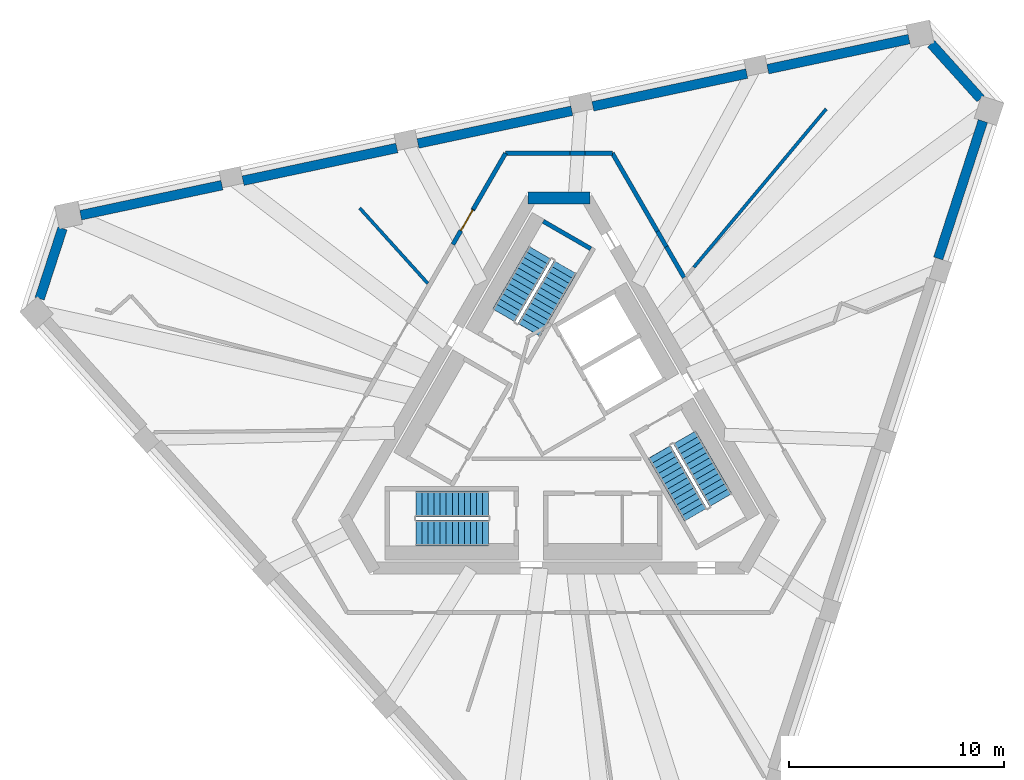
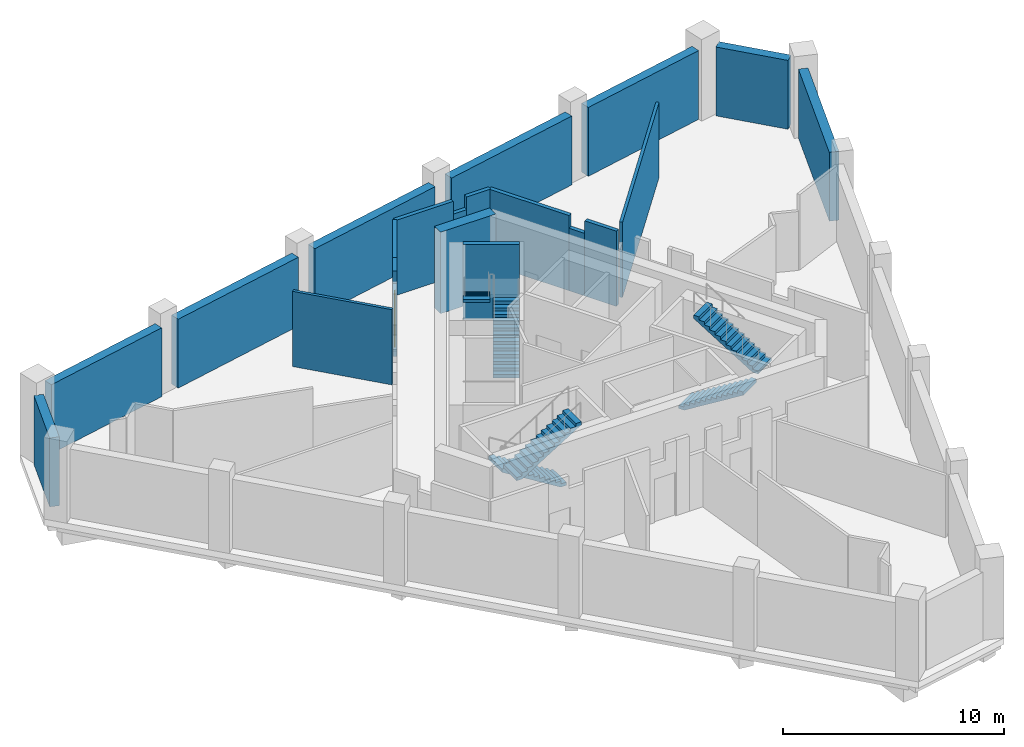
# One storey, part 4 of 5: 20 walls, 6 stair flights, 1 door, 1 opening, 3 elements without a shape of their own.
"""IFC4 building model written with IfcOpenShell, lengths in metres."""

from ifc_helpers import new_model, si_unit, direction, frame, frame_2d, origin, place, context, subcontext, project, spatial, polyline, rectangle, outline, extrude, material, layer, layer_set, type_object, element, fill, aggregate, save


model = new_model("IFC4")

# Units and contexts
model_context = context("Model", 3, precision=1e-05, world=origin(), true_north=direction((0.0, 1.0)))
body_context = subcontext(model_context, "Body", "Model", "MODEL_VIEW")
ifc_project = project(units=[si_unit("LENGTHUNIT", "METRE"), si_unit("AREAUNIT", "SQUARE_METRE"), si_unit("VOLUMEUNIT", "CUBIC_METRE"), si_unit("PLANEANGLEUNIT", "RADIAN"), si_unit("MASSUNIT", "GRAM", prefix="KILO")], contexts=[model_context])

# Site, building, storey
site_placement = place(None, origin())
site = spatial("IfcSite", under=ifc_project, at=site_placement, CompositionType="ELEMENT")
building_placement = place(site_placement, origin())
building = spatial("IfcBuilding", under=site, at=building_placement, Name="Tramontana Tower", CompositionType="ELEMENT")
storey_placement = place(building_placement, frame((0.0, 0.0, 365.89990234375)))
storey = spatial("IfcBuildingStorey", under=building, at=storey_placement, Name="L84", CompositionType="ELEMENT", Elevation=365.89990234375)

# Wall
ifc_material_1 = material(Name="Concrete 70 MPa", Category="concrete")
ifc_layer_1 = layer(ifc_material_1, 0.550048828125)
ifc_layer_set_1 = layer_set([ifc_layer_1], Name="Core wall 550 70 MPa")
wall_type_1 = type_object("IfcWallType", Name="Core wall 550 70 MPa", PredefinedType="SHEAR", material=ifc_layer_set_1)
wall_1_placement = place(storey_placement, frame((1.443359375, 10.72509765625, 0.0), z_axis=(0.0, 0.0, 1.0), x_axis=(-1.0, 0.0, 0.0)))
element("IfcWall", 1, at=wall_1_placement, inside=storey, type_object=wall_type_1, Name="Core wall C0 L84", PredefinedType="SHEAR", context=body_context, shape_type="SweptSolid", body=[
    extrude(rectangle(XDim=2.88671875, YDim=0.550048828125, at=frame_2d((1.443359375, 0.0))), origin(), (0.0, 0.0, 1.0), 4.5),
])

# Wall, opening, door
ifc_material_2 = material(Name="Blockwork", Category="masonry")
ifc_layer_2 = layer(ifc_material_2, 0.199951171875)
ifc_layer_set_2 = layer_set([ifc_layer_2], Name="ENTRY WALL 200")
wall_type_2 = type_object("IfcWallType", Name="ENTRY WALL 200", PredefinedType="SOLIDWALL", material=ifc_layer_set_2)
wall_2_placement = place(storey_placement, frame((-3.985595703125, 10.196533203125, 0.0), z_axis=(0.0, 0.0, 1.0), x_axis=(-0.500051133576, -0.865995879788, 0.0)))
wall_2 = element("IfcWall", 2, at=wall_2_placement, inside=storey, type_object=wall_type_2, Name="Wall ew3-9", PredefinedType="SOLIDWALL", context=body_context, shape_type="SweptSolid", body=[
    extrude(outline(polyline([(0.0, 0.0), (1.885986328125, 0.0), (1.885986328125, 3.4501953125), (1.0595703125, 3.4501953125), (1.0595703125, 4.150146484375), (0.0, 4.150146484375), (0.0, 0.0)])), frame((0.0, 0.10009765625, 0.0), z_axis=(0.0, -1.0, 0.0), x_axis=(1.0, 0.0, 0.0)), (0.0, 0.0, 1.0), 0.199951171875),
])
opening_placement = place(wall_2_placement, frame((0.050048828125, 0.0, 0.0)))
opening = element("IfcOpeningElement", 3, at=opening_placement, cuts=wall_2, Name="Opening L84-02", PredefinedType="OPENING", context=body_context, shape_type="SweptSolid", body=[
    extrude(rectangle(XDim=1.10009765625, YDim=2.39990234375, at=frame_2d((0.550048828125, 1.199951171875))), frame((0.0, 0.10986328125, 0.0), z_axis=(0.0, -1.0, 0.0), x_axis=(1.0, 0.0, 0.0)), (0.0, 0.0, 1.0), 0.219970703125),
])
ifc_material_3 = material(Name="Painted timber", Category="wood")
door_type = type_object("IfcDoorType", Name="DOOR ENTRY 1100", OperationType="SINGLE_SWING_LEFT", PredefinedType="DOOR", material=ifc_material_3)
door_placement = place(opening_placement, origin())
door = element("IfcDoor", 4, at=door_placement, inside=storey, type_object=door_type, Name="Door L84-02", OperationType="SINGLE_SWING_RIGHT", OverallHeight=2.39990234375, OverallWidth=1.10009765625, PredefinedType="DOOR", context=body_context, shape_type="SweptSolid", body=[
    extrude(rectangle(XDim=1.10009765625, YDim=2.39990234375, at=frame_2d((0.550048828125, 1.199951171875))), frame((0.0, 0.02490234375, 0.0), z_axis=(0.0, -1.0, 0.0), x_axis=(1.0, 0.0, 0.0)), (0.0, 0.0, 1.0), 0.050048828125),
])
fill(opening, door)

# Walls
wall_3_placement = place(storey_placement, frame((-3.985595703125, 10.196533203125, 0.0), z_axis=(0.0, 0.0, 1.0), x_axis=(0.49994741746, 0.8660557602, 0.0)))
element("IfcWall", 5, at=wall_3_placement, inside=storey, type_object=wall_type_2, Name="Wall ew3-10", PredefinedType="SOLIDWALL", context=body_context, shape_type="SweptSolid", body=[
    extrude(rectangle(XDim=3.006103515625, YDim=0.199951171875, at=frame_2d((1.5029296875, 0.0))), origin(), (0.0, 0.0, 1.0), 4.150146484375),
])
wall_4_placement = place(storey_placement, frame((-2.482666015625, 12.800048828125, 0.0), z_axis=(0.0, 0.0, 1.0), x_axis=(1.0, 0.0, 0.0)))
element("IfcWall", 6, at=wall_4_placement, inside=storey, type_object=wall_type_2, Name="Wall ew4-0", PredefinedType="SOLIDWALL", context=body_context, shape_type="SweptSolid", body=[
    extrude(rectangle(XDim=3.0029296875, YDim=0.199951171875, at=frame_2d((1.50146484375, 0.0))), origin(), (0.0, 0.0, 1.0), 4.150146484375),
])
wall_5_placement = place(storey_placement, frame((0.520263671875, 12.800048828125, 0.0), z_axis=(0.0, 0.0, 1.0), x_axis=(1.0, 0.0, 0.0)))
element("IfcWall", 7, at=wall_5_placement, inside=storey, type_object=wall_type_2, Name="Wall ew4-1", PredefinedType="SOLIDWALL", context=body_context, shape_type="SweptSolid", body=[
    extrude(rectangle(XDim=0.701416015625, YDim=0.199951171875, at=frame_2d((0.3505859375, 0.0))), origin(), (0.0, 0.0, 1.0), 3.4501953125),
])
wall_6_placement = place(storey_placement, frame((1.2216796875, 12.800048828125, 0.0), z_axis=(0.0, 0.0, 1.0), x_axis=(1.0, 0.0, 0.0)))
element("IfcWall", 8, at=wall_6_placement, inside=storey, type_object=wall_type_2, Name="Wall ew4-2", PredefinedType="SOLIDWALL", context=body_context, shape_type="SweptSolid", body=[
    extrude(rectangle(XDim=1.260986328125, YDim=0.199951171875, at=frame_2d((0.63037109375, 0.0))), origin(), (0.0, 0.0, 1.0), 4.150146484375),
])
wall_7_placement = place(storey_placement, frame((2.482666015625, 12.800048828125, 0.0), z_axis=(0.0, 0.0, 1.0), x_axis=(0.499982771656, -0.866035350345, 0.0)))
element("IfcWall", 9, at=wall_7_placement, inside=storey, type_object=wall_type_2, Name="Wall ew5-0", PredefinedType="SOLIDWALL", context=body_context, shape_type="SweptSolid", body=[
    extrude(rectangle(XDim=4.194580078125, YDim=0.199951171875, at=frame_2d((2.09716796875, 0.0))), origin(), (0.0, 0.0, 1.0), 4.150146484375),
])
wall_8_placement = place(storey_placement, frame((4.579833984375, 9.16748046875, 0.0), z_axis=(0.0, 0.0, 1.0), x_axis=(0.499945576647, -0.866056822842, 0.0)))
element("IfcWall", 10, at=wall_8_placement, inside=storey, type_object=wall_type_2, Name="Wall ew5-1", PredefinedType="SOLIDWALL", context=body_context, shape_type="SweptSolid", body=[
    extrude(rectangle(XDim=0.82080078125, YDim=0.199951171875, at=frame_2d((0.410400390625, 0.0))), origin(), (0.0, 0.0, 1.0), 3.4501953125),
])
wall_9_placement = place(storey_placement, frame((4.990234375, 8.45654296875, 0.0), z_axis=(0.0, 0.0, 1.0), x_axis=(0.500024536802, -0.866011236992, 0.0)))
element("IfcWall", 11, at=wall_9_placement, inside=storey, type_object=wall_type_2, Name="Wall ew5-2", PredefinedType="SOLIDWALL", context=body_context, shape_type="SweptSolid", body=[
    extrude(rectangle(XDim=1.65576171875, YDim=0.199951171875, at=frame_2d((0.827880859375, 0.0))), origin(), (0.0, 0.0, 1.0), 4.150146484375),
])
ifc_material_4 = material(Name="Precast concrete 60 MPa", Category="concrete")
ifc_layer_3 = layer(ifc_material_4, 0.449951171875)
ifc_layer_set_3 = layer_set([ifc_layer_3], Name="Precast concrete 60 MPa, 450 mm")
wall_type_3 = type_object("IfcWallType", Name="EW1 Stone-faced precast wall 450", PredefinedType="SOLIDWALL", material=ifc_layer_set_3)
wall_10_placement = place(storey_placement, frame((-23.0791015625, 9.304931640625, 0.0), z_axis=(0.0, 0.0, 1.0), x_axis=(-0.309076430482, -0.95103720228, 0.0)))
element("IfcWall", 12, at=wall_10_placement, inside=storey, type_object=wall_type_3, Name="Stone band wall L84 face 0k 1", PredefinedType="SOLIDWALL", context=body_context, shape_type="SweptSolid", body=[
    extrude(rectangle(XDim=3.435302734375, YDim=0.449951171875, at=frame_2d((1.7177734375, 0.0))), origin(), (0.0, 0.0, 1.0), 3.800048828125),
])
wall_11_placement = place(storey_placement, frame((17.632080078125, 7.9091796875, 0.0), z_axis=(0.0, 0.0, 1.0), x_axis=(0.309018647645, 0.951055979114, 0.0)))
element("IfcWall", 13, at=wall_11_placement, inside=storey, type_object=wall_type_3, Name="Stone band wall L84 face 1s 5", PredefinedType="SOLIDWALL", context=body_context, shape_type="SweptSolid", body=[
    extrude(rectangle(XDim=6.7138671875, YDim=0.449951171875, at=frame_2d((3.35693359375, 0.0))), origin(), (0.0, 0.0, 1.0), 3.800048828125),
])
wall_12_placement = place(storey_placement, frame((19.597900390625, 15.334716796875, 0.0), z_axis=(0.0, 0.0, 1.0), x_axis=(-0.669109997009, 0.743163381702, 0.0)))
element("IfcWall", 14, at=wall_12_placement, inside=storey, type_object=wall_type_3, Name="Stone band wall L84 face 2k 1", PredefinedType="SOLIDWALL", context=body_context, shape_type="SweptSolid", body=[
    extrude(rectangle(XDim=3.435302734375, YDim=0.449951171875, at=frame_2d((1.7177734375, 0.0))), origin(), (0.0, 0.0, 1.0), 3.800048828125),
])
wall_13_placement = place(storey_placement, frame((-15.665771484375, 11.315185546875, 0.0), z_axis=(0.0, 0.0, 1.0), x_axis=(-0.978144338977, -0.207927035587, 0.0)))
element("IfcWall", 15, at=wall_13_placement, inside=storey, type_object=wall_type_3, Name="Stone band wall L84 face 2s 1", PredefinedType="SOLIDWALL", context=body_context, shape_type="SweptSolid", body=[
    extrude(rectangle(XDim=6.7138671875, YDim=0.449951171875, at=frame_2d((3.35693359375, 0.0))), origin(), (0.0, 0.0, 1.0), 3.800048828125),
])
for number, where, z_axis, x_axis, name in (
    (16, (-7.533447265625, 13.043701171875, 0.0), (0.0, 0.0, 1.0), (-0.978151299843, -0.207894287118, 0.0), "Stone band wall L84 face 2s 2"),
    (17, (0.5986328125, 14.772216796875, 0.0), (0.0, 0.0, 1.0), (-0.978151299843, -0.207894287118, 0.0), "Stone band wall L84 face 2s 3"),
    (18, (8.73095703125, 16.500732421875, 0.0), (0.0, 0.0, 1.0), (-0.978151299843, -0.207894287118, 0.0), "Stone band wall L84 face 2s 4"),
):
    element("IfcWall", number, at=place(storey_placement, frame(where, z_axis=z_axis, x_axis=x_axis)), inside=storey, type_object=wall_type_3, Name=name, PredefinedType="SOLIDWALL", context=body_context, shape_type="SweptSolid", body=[
        extrude(rectangle(XDim=7.31396484375, YDim=0.449951171875, at=frame_2d((3.656982421875, 0.0))), origin(), (0.0, 0.0, 1.0), 3.800048828125),
    ])
wall_14_placement = place(storey_placement, frame((16.276123046875, 18.104736328125, 0.0), z_axis=(0.0, 0.0, 1.0), x_axis=(-0.978144338977, -0.207927035587, 0.0)))
element("IfcWall", 19, at=wall_14_placement, inside=storey, type_object=wall_type_3, Name="Stone band wall L84 face 2s 5", PredefinedType="SOLIDWALL", context=body_context, shape_type="SweptSolid", body=[
    extrude(rectangle(XDim=6.7138671875, YDim=0.449951171875, at=frame_2d((3.35693359375, 0.0))), origin(), (0.0, 0.0, 1.0), 3.800048828125),
])
ifc_material_5 = material(Name="Gypsum board partition")
ifc_layer_4 = layer(ifc_material_5, 0.14990234375)
ifc_layer_set_4 = layer_set([ifc_layer_4], Name="PARTITION 150")
wall_type_4 = type_object("IfcWallType", Name="PARTITION 150", PredefinedType="PARTITIONING", material=ifc_layer_set_4)
wall_15_placement = place(storey_placement, frame((-6.094482421875, 6.744140625, 0.0), z_axis=(0.0, 0.0, 1.0), x_axis=(-0.670485503808, 0.741922630187, 0.0)))
element("IfcWall", 20, at=wall_15_placement, inside=storey, type_object=wall_type_4, Name="Wall fw-pw06", PredefinedType="PARTITIONING", context=body_context, shape_type="SweptSolid", body=[
    extrude(rectangle(XDim=4.72314453125, YDim=0.14990234375, at=frame_2d((2.361572265625, 0.0))), origin(), (0.0, 0.0, 1.0), 4.150146484375),
])
wall_16_placement = place(storey_placement, frame((6.27001953125, 7.498046875, 0.0), z_axis=(0.0, 0.0, 1.0), x_axis=(0.641480057803, 0.76713971051, 0.0)))
element("IfcWall", 21, at=wall_16_placement, inside=storey, type_object=wall_type_4, Name="Wall fw-pw13-1", PredefinedType="PARTITIONING", context=body_context, shape_type="SweptSolid", body=[
    extrude(rectangle(XDim=9.593994140625, YDim=0.14990234375, at=frame_2d((4.796875, 0.0))), origin(), (0.0, 0.0, 1.0), 4.150146484375),
])
ifc_material_6 = material(Name="Concrete 70 MPa", Category="concrete")
ifc_layer_5 = layer(ifc_material_6, 0.199951171875)
ifc_layer_set_5 = layer_set([ifc_layer_5], Name="Concrete 70 MPa, 200 mm")
wall_type_5 = type_object("IfcWallType", Name="RC STAIR AND SHAFT WALL 200", PredefinedType="SOLIDWALL", material=ifc_layer_set_5)
wall_17_placement = place(storey_placement, frame((1.478515625, 8.36083984375, 0.0), z_axis=(0.0, 0.0, 1.0), x_axis=(-0.865989465428, 0.500062241894, 0.0)))
element("IfcWall", 22, at=wall_17_placement, inside=storey, type_object=wall_type_5, Name="Wall st1-far", PredefinedType="SOLIDWALL", context=body_context, shape_type="SweptSolid", body=[
    extrude(rectangle(XDim=2.550048828125, YDim=0.199951171875, at=frame_2d((1.27490234375, 0.0))), origin(), (0.0, 0.0, 1.0), 4.150146484375),
])

# Stair, stair flights
ifc_material_7 = material(Name="Concrete 40 MPa", Category="concrete")
stair_type = type_object("IfcStairType", Name="EXIT STAIR 26 RISERS", PredefinedType="HALF_TURN_STAIR", material=ifc_material_7)
stair_1_placement = place(storey_placement, origin())
stair_1 = element("IfcStair", 23, at=stair_1_placement, inside=storey, type_object=stair_type, Name="L84 Exit stair ST1", PredefinedType="HALF_TURN_STAIR")
ifc_material_8 = material(Name="Concrete 40 MPa", Category="concrete")
ifc_layer_6 = layer(ifc_material_8, 0.14990234375)
ifc_layer_set_6 = layer_set([ifc_layer_6], Name="EXIT STAIR FLIGHT")
stair_flight_type = type_object("IfcStairFlightType", Name="EXIT STAIR FLIGHT", PredefinedType="STRAIGHT", material=ifc_layer_set_6)
stair_flight_1_placement = place(storey_placement, frame((-1.39111328125, 4.590576171875, 0.0), z_axis=(0.0, 0.0, 1.0), x_axis=(0.5, 0.866025403784, 0.0)))
stair_flight_1 = element("IfcStairFlight", 24, at=stair_flight_1_placement, type_object=stair_flight_type, Name="ST1 flight 1", NumberOfRisers=13, NumberOfTreads=12, PredefinedType="STRAIGHT", RiserHeight=0.173076923, TreadLength=0.28, context=body_context, shape_type="SweptSolid", body=[
    extrude(outline(polyline([(-0.006103515625, 0.0), (-0.006103515625, 0.0400390625), (0.0, 0.0400390625), (0.0, 0.173095703125), (0.280029296875, 0.173095703125), (0.280029296875, 0.34619140625), (0.56005859375, 0.34619140625), (0.56005859375, 0.519287109375), (0.840087890625, 0.519287109375), (0.840087890625, 0.6923828125), (1.1201171875, 0.6923828125), (1.1201171875, 0.865478515625), (1.39990234375, 0.865478515625), (1.39990234375, 1.03857421875), (1.679931640625, 1.03857421875), (1.679931640625, 1.21142578125), (1.9599609375, 1.21142578125), (1.9599609375, 1.384521484375), (2.239990234375, 1.384521484375), (2.239990234375, 1.5576171875), (2.52001953125, 1.5576171875), (2.52001953125, 1.730712890625), (2.800048828125, 1.730712890625), (2.800048828125, 1.90380859375), (3.080078125, 1.90380859375), (3.080078125, 2.076904296875), (3.360107421875, 2.076904296875), (3.365966796875, 2.076904296875), (3.365966796875, 1.900634765625), (0.291015625, 0.0), (-0.006103515625, 0.0)])), frame((0.0, 0.60009765625, 0.0), z_axis=(0.0, -1.0, 0.0), x_axis=(1.0, 0.0, 0.0)), (0.0, 0.0, 1.0), 1.199951171875),
])
stair_flight_2_placement = place(storey_placement, frame((-0.880126953125, 8.17529296875, 2.25), z_axis=(0.0, 0.0, 1.0), x_axis=(-0.5, -0.866025403784, 0.0)))
stair_flight_2 = element("IfcStairFlight", 25, at=stair_flight_2_placement, type_object=stair_flight_type, Name="ST1 flight 2", NumberOfRisers=13, NumberOfTreads=12, PredefinedType="STRAIGHT", RiserHeight=0.173076923, TreadLength=0.28, context=body_context, shape_type="SweptSolid", body=[
    extrude(outline(polyline([(-0.006103515625, 0.0), (-0.006103515625, 0.0400390625), (0.0, 0.0400390625), (0.0, 0.173095703125), (0.280029296875, 0.173095703125), (0.280029296875, 0.34619140625), (0.56005859375, 0.34619140625), (0.56005859375, 0.519287109375), (0.840087890625, 0.519287109375), (0.840087890625, 0.6923828125), (1.1201171875, 0.6923828125), (1.1201171875, 0.865478515625), (1.39990234375, 0.865478515625), (1.39990234375, 1.03857421875), (1.679931640625, 1.03857421875), (1.679931640625, 1.21142578125), (1.9599609375, 1.21142578125), (1.9599609375, 1.384521484375), (2.239990234375, 1.384521484375), (2.239990234375, 1.5576171875), (2.52001953125, 1.5576171875), (2.52001953125, 1.730712890625), (2.800048828125, 1.730712890625), (2.800048828125, 1.90380859375), (3.080078125, 1.90380859375), (3.080078125, 2.076904296875), (3.360107421875, 2.076904296875), (3.365966796875, 2.076904296875), (3.365966796875, 1.900634765625), (0.291015625, 0.0), (-0.006103515625, 0.0)])), frame((0.0, 0.60009765625, 0.0), z_axis=(0.0, -1.0, 0.0), x_axis=(1.0, 0.0, 0.0)), (0.0, 0.0, 1.0), 1.199951171875),
])
aggregate(stair_1, [stair_flight_1, stair_flight_2])

stair_2_placement = place(storey_placement, origin())
stair_2 = element("IfcStair", 26, at=stair_2_placement, inside=storey, type_object=stair_type, Name="L84 Exit stair ST2", PredefinedType="HALF_TURN_STAIR")
stair_flight_3_placement = place(storey_placement, frame((-3.280029296875, -3.5, 0.0), z_axis=(0.0, 0.0, 1.0), x_axis=(-1.0, 0.0, 0.0)))
stair_flight_3 = element("IfcStairFlight", 27, at=stair_flight_3_placement, type_object=stair_flight_type, Name="ST2 flight 1", NumberOfRisers=13, NumberOfTreads=12, PredefinedType="STRAIGHT", RiserHeight=0.173076923, TreadLength=0.28, context=body_context, shape_type="SweptSolid", body=[
    extrude(outline(polyline([(-0.006103515625, 0.0), (-0.006103515625, 0.0400390625), (0.0, 0.0400390625), (0.0, 0.173095703125), (0.280029296875, 0.173095703125), (0.280029296875, 0.34619140625), (0.56005859375, 0.34619140625), (0.56005859375, 0.519287109375), (0.840087890625, 0.519287109375), (0.840087890625, 0.6923828125), (1.1201171875, 0.6923828125), (1.1201171875, 0.865478515625), (1.39990234375, 0.865478515625), (1.39990234375, 1.03857421875), (1.679931640625, 1.03857421875), (1.679931640625, 1.21142578125), (1.9599609375, 1.21142578125), (1.9599609375, 1.384521484375), (2.239990234375, 1.384521484375), (2.239990234375, 1.5576171875), (2.52001953125, 1.5576171875), (2.52001953125, 1.730712890625), (2.800048828125, 1.730712890625), (2.800048828125, 1.90380859375), (3.080078125, 1.90380859375), (3.080078125, 2.076904296875), (3.360107421875, 2.076904296875), (3.365966796875, 2.076904296875), (3.365966796875, 1.900634765625), (0.291015625, 0.0), (-0.006103515625, 0.0)])), frame((0.0, 0.60009765625, 0.0), z_axis=(0.0, -1.0, 0.0), x_axis=(1.0, 0.0, 0.0)), (0.0, 0.0, 1.0), 1.199951171875),
])
stair_flight_4_placement = place(storey_placement, frame((-6.639892578125, -4.85009765625, 2.25), z_axis=(0.0, 0.0, 1.0), x_axis=(1.0, 0.0, 0.0)))
stair_flight_4 = element("IfcStairFlight", 28, at=stair_flight_4_placement, type_object=stair_flight_type, Name="ST2 flight 2", NumberOfRisers=13, NumberOfTreads=12, PredefinedType="STRAIGHT", RiserHeight=0.173076923, TreadLength=0.28, context=body_context, shape_type="SweptSolid", body=[
    extrude(outline(polyline([(-0.006103515625, 0.0), (-0.006103515625, 0.0400390625), (0.0, 0.0400390625), (0.0, 0.173095703125), (0.280029296875, 0.173095703125), (0.280029296875, 0.34619140625), (0.56005859375, 0.34619140625), (0.56005859375, 0.519287109375), (0.840087890625, 0.519287109375), (0.840087890625, 0.6923828125), (1.1201171875, 0.6923828125), (1.1201171875, 0.865478515625), (1.39990234375, 0.865478515625), (1.39990234375, 1.03857421875), (1.679931640625, 1.03857421875), (1.679931640625, 1.21142578125), (1.9599609375, 1.21142578125), (1.9599609375, 1.384521484375), (2.239990234375, 1.384521484375), (2.239990234375, 1.5576171875), (2.52001953125, 1.5576171875), (2.52001953125, 1.730712890625), (2.800048828125, 1.730712890625), (2.800048828125, 1.90380859375), (3.080078125, 1.90380859375), (3.080078125, 2.076904296875), (3.360107421875, 2.076904296875), (3.365966796875, 2.076904296875), (3.365966796875, 1.900634765625), (0.291015625, 0.0), (-0.006103515625, 0.0)])), frame((0.0, 0.60009765625, 0.0), z_axis=(0.0, -1.0, 0.0), x_axis=(1.0, 0.0, 0.0)), (0.0, 0.0, 1.0), 1.199951171875),
])
aggregate(stair_2, [stair_flight_3, stair_flight_4])

stair_3_placement = place(storey_placement, origin())
stair_3 = element("IfcStair", 29, at=stair_3_placement, inside=storey, type_object=stair_type, Name="L84 Exit stair ST3", PredefinedType="HALF_TURN_STAIR")
stair_flight_5_placement = place(storey_placement, frame((4.671142578125, -1.090576171875, 0.0), z_axis=(0.0, 0.0, 1.0), x_axis=(0.5, -0.866025403784, 0.0)))
stair_flight_5 = element("IfcStairFlight", 30, at=stair_flight_5_placement, type_object=stair_flight_type, Name="ST3 flight 1", NumberOfRisers=13, NumberOfTreads=12, PredefinedType="STRAIGHT", RiserHeight=0.173076923, TreadLength=0.28, context=body_context, shape_type="SweptSolid", body=[
    extrude(outline(polyline([(-0.006103515625, 0.0), (-0.006103515625, 0.0400390625), (0.0, 0.0400390625), (0.0, 0.173095703125), (0.280029296875, 0.173095703125), (0.280029296875, 0.34619140625), (0.56005859375, 0.34619140625), (0.56005859375, 0.519287109375), (0.840087890625, 0.519287109375), (0.840087890625, 0.6923828125), (1.1201171875, 0.6923828125), (1.1201171875, 0.865478515625), (1.39990234375, 0.865478515625), (1.39990234375, 1.03857421875), (1.679931640625, 1.03857421875), (1.679931640625, 1.21142578125), (1.9599609375, 1.21142578125), (1.9599609375, 1.384521484375), (2.239990234375, 1.384521484375), (2.239990234375, 1.5576171875), (2.52001953125, 1.5576171875), (2.52001953125, 1.730712890625), (2.800048828125, 1.730712890625), (2.800048828125, 1.90380859375), (3.080078125, 1.90380859375), (3.080078125, 2.076904296875), (3.360107421875, 2.076904296875), (3.365966796875, 2.076904296875), (3.365966796875, 1.900634765625), (0.291015625, 0.0), (-0.006103515625, 0.0)])), frame((0.0, 0.60009765625, 0.0), z_axis=(0.0, -1.0, 0.0), x_axis=(1.0, 0.0, 0.0)), (0.0, 0.0, 1.0), 1.199951171875),
])
stair_flight_6_placement = place(storey_placement, frame((7.520263671875, -3.325439453125, 2.25), z_axis=(0.0, 0.0, 1.0), x_axis=(-0.5, 0.866025403784, 0.0)))
stair_flight_6 = element("IfcStairFlight", 31, at=stair_flight_6_placement, type_object=stair_flight_type, Name="ST3 flight 2", NumberOfRisers=13, NumberOfTreads=12, PredefinedType="STRAIGHT", RiserHeight=0.173076923, TreadLength=0.28, context=body_context, shape_type="SweptSolid", body=[
    extrude(outline(polyline([(-0.006103515625, 0.0), (-0.006103515625, 0.0400390625), (0.0, 0.0400390625), (0.0, 0.173095703125), (0.280029296875, 0.173095703125), (0.280029296875, 0.34619140625), (0.56005859375, 0.34619140625), (0.56005859375, 0.519287109375), (0.840087890625, 0.519287109375), (0.840087890625, 0.6923828125), (1.1201171875, 0.6923828125), (1.1201171875, 0.865478515625), (1.39990234375, 0.865478515625), (1.39990234375, 1.03857421875), (1.679931640625, 1.03857421875), (1.679931640625, 1.21142578125), (1.9599609375, 1.21142578125), (1.9599609375, 1.384521484375), (2.239990234375, 1.384521484375), (2.239990234375, 1.5576171875), (2.52001953125, 1.5576171875), (2.52001953125, 1.730712890625), (2.800048828125, 1.730712890625), (2.800048828125, 1.90380859375), (3.080078125, 1.90380859375), (3.080078125, 2.076904296875), (3.360107421875, 2.076904296875), (3.365966796875, 2.076904296875), (3.365966796875, 1.900634765625), (0.291015625, 0.0), (-0.006103515625, 0.0)])), frame((0.0, 0.60009765625, 0.0), z_axis=(0.0, -1.0, 0.0), x_axis=(1.0, 0.0, 0.0)), (0.0, 0.0, 1.0), 1.199951171875),
])
aggregate(stair_3, [stair_flight_5, stair_flight_6])

save(model, "model.ifc")
